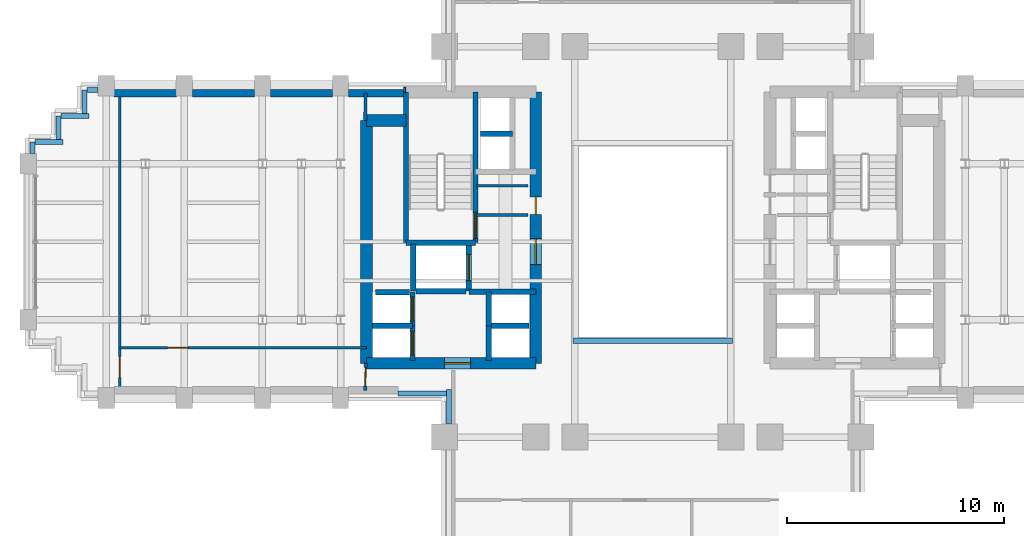
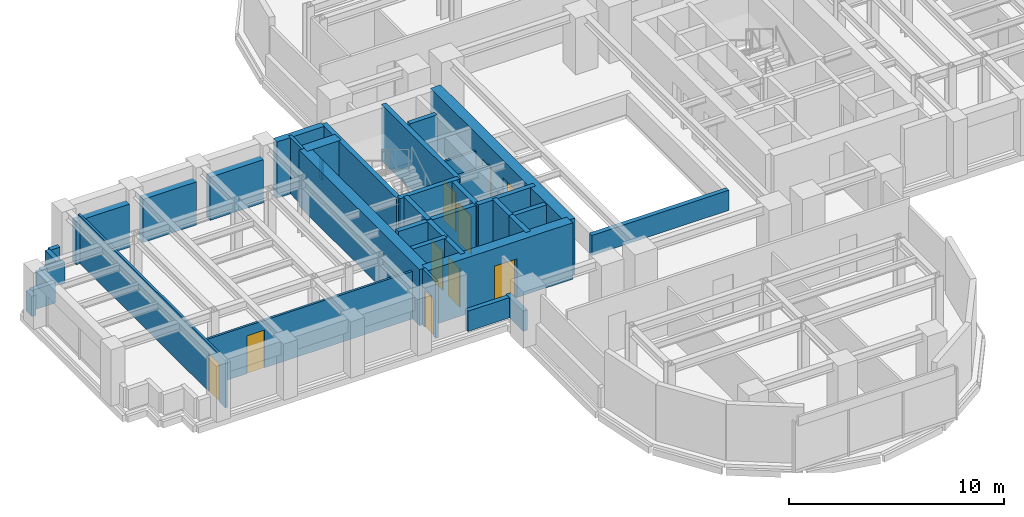
# One storey, part 10 of 16: 39 walls, 10 doors, 10 openings.
"""IFC4 building model written with IfcOpenShell, lengths in metres."""

from ifc_helpers import new_model, si_unit, direction, frame, frame_2d, origin, place, context, subcontext, project, spatial, rectangle, extrude, source, transform, mapped, material, layer, layer_set, type_object, element, fill, save


model = new_model("IFC4")

# Units and contexts
model_context = context("Model", 3, precision=1e-05, world=origin(), true_north=direction((0.0, 1.0)))
body_context = subcontext(model_context, "Body", "Model", "MODEL_VIEW")
ifc_project = project(units=[si_unit("LENGTHUNIT", "METRE"), si_unit("AREAUNIT", "SQUARE_METRE"), si_unit("VOLUMEUNIT", "CUBIC_METRE"), si_unit("PLANEANGLEUNIT", "RADIAN"), si_unit("MASSUNIT", "GRAM", prefix="KILO")], contexts=[model_context])

# Site, building, storey
site_placement = place(None, origin())
site = spatial("IfcSite", under=ifc_project, at=site_placement, CompositionType="ELEMENT")
building_placement = place(site_placement, origin())
building = spatial("IfcBuilding", under=site, at=building_placement, Name="Keilestroom Media Tower", CompositionType="ELEMENT")
storey_placement = place(building_placement, frame((0.0, 0.0, 54.39990234375)))
storey = spatial("IfcBuildingStorey", under=building, at=storey_placement, Name="L13", CompositionType="ELEMENT", Elevation=54.39990234375)

# Walls
ifc_material_1 = material(Name="Precast concrete C40/50", Category="concrete")
ifc_layer_1 = layer(ifc_material_1, 0.340087890625)
ifc_layer_set_1 = layer_set([ifc_layer_1], Name="Precast concrete C40/50")
wall_type_1 = type_object("IfcWallType", Name="Exterior-Masonry-Spandrel-Wall-340", PredefinedType="SOLIDWALL", material=ifc_layer_set_1)
for number, where, z_axis, x_axis, name in (
    (1, (-24.8330078125, 6.85009765625, 0.0), (0.0, 0.0, 1.0), (1.0, 0.0, 0.0), "L13 Flank Masonry Wall EWL-L13-NW-1"),
    (2, (-21.23291015625, 6.85009765625, 0.0), (0.0, 0.0, 1.0), (1.0, 0.0, 0.0), "L13 Flank Masonry Wall EWL-L13-NW-2"),
    (3, (-17.633056640625, 6.85009765625, 0.0), (0.0, 0.0, 1.0), (1.0, 0.0, 0.0), "L13 Flank Masonry Wall EWL-L13-NW-3"),
):
    element("IfcWall", number, at=place(storey_placement, frame(where, z_axis=z_axis, x_axis=x_axis)), inside=storey, type_object=wall_type_1, Name=name, PredefinedType="SOLIDWALL", context=body_context, shape_type="SweptSolid", body=[
        extrude(rectangle(XDim=2.865966796875, YDim=0.340087890625, at=frame_2d((1.43310546875, 0.0))), origin(), (0.0, 0.0, 1.0), 2.4501953125),
    ])
wall_1_placement = place(storey_placement, frame((-14.032958984375, 6.85009765625, 0.0), z_axis=(0.0, 0.0, 1.0), x_axis=(1.0, 0.0, 0.0)))
element("IfcWall", 4, at=wall_1_placement, inside=storey, type_object=wall_type_1, Name="L13 Flank Masonry Wall EWL-L13-NW-4", PredefinedType="SOLIDWALL", context=body_context, shape_type="SweptSolid", body=[
    extrude(rectangle(XDim=2.534912109375, YDim=0.340087890625, at=frame_2d((1.267578125, 0.0))), origin(), (0.0, 0.0, 1.0), 3.2001953125),
])
ifc_material_2 = material(Name="Gypsum Plasterboard & Steel Stud", Category="steel")
ifc_layer_2 = layer(ifc_material_2, 0.1201171875)
ifc_layer_set_2 = layer_set([ifc_layer_2], Name="Gypsum Plasterboard & Steel Stud")
wall_type_2 = type_object("IfcWallType", Name="Interior-Partition-Wall-120", PredefinedType="PARTITIONING", material=ifc_layer_set_2)
wall_2_placement = place(storey_placement, frame((-8.139892578125, 2.580078125, 0.0), z_axis=(0.0, 0.0, 1.0), x_axis=(1.0, 0.0, 0.0)))
element("IfcWall", 5, at=wall_2_placement, inside=storey, type_object=wall_type_2, Name="L13 Interior Wall WP-L13-CNW-N", PredefinedType="PARTITIONING", context=body_context, shape_type="SweptSolid", body=[
    extrude(rectangle(XDim=2.389892578125, YDim=0.1201171875, at=frame_2d((1.19482421875, 0.0))), origin(), (0.0, 0.0, 1.0), 2.300048828125),
])

# Wall, opening, door
wall_3_placement = place(storey_placement, frame((-24.570068359375, -4.8798828125, 0.0), z_axis=(0.0, 0.0, 1.0), x_axis=(1.0, 0.0, 0.0)))
wall_3 = element("IfcWall", 6, at=wall_3_placement, inside=storey, type_object=wall_type_2, Name="L13 Interior Wall WP-L13-WA-CN", PredefinedType="PARTITIONING", context=body_context, shape_type="SweptSolid", body=[
    extrude(rectangle(XDim=11.3701171875, YDim=0.1201171875, at=frame_2d((5.68505859375, 0.0))), origin(), (0.0, 0.0, 1.0), 2.7001953125),
])
opening_1_placement = place(wall_3_placement, frame((2.199951171875, 0.0, 0.0)))
opening_1 = element("IfcOpeningElement", 7, at=opening_1_placement, cuts=wall_3, Name="Opening DI-03", PredefinedType="OPENING", context=body_context, shape_type="SweptSolid", body=[
    extrude(rectangle(XDim=0.949951171875, YDim=2.14990234375, at=frame_2d((0.47509765625, 1.074951171875))), frame((0.0, 0.070068359375, 0.0), z_axis=(0.0, -1.0, 0.0), x_axis=(1.0, 0.0, 0.0)), (0.0, 0.0, 1.0), 0.14013671875),
])
ifc_material_3 = material(Name="Lacquered European Oak Leaf", Category="wood")
door_type_1 = type_object("IfcDoorType", Name="Interior-Room-And-Suite-Door-DI-03", OperationType="NOTDEFINED", PredefinedType="DOOR", material=ifc_material_3)
shared_shape_1 = source(origin(), body_context, "Body", "SweptSolid", [
    extrude(rectangle(XDim=0.949951171875, YDim=2.14990234375, at=frame_2d((0.47509765625, 1.074951171875))), frame((0.0, 0.02490234375, 0.0), z_axis=(0.0, -1.0, 0.0), x_axis=(1.0, 0.0, 0.0)), (0.0, 0.0, 1.0), 0.050048828125),
])
door_1_placement = place(opening_1_placement, origin())
door_1 = element("IfcDoor", 8, at=door_1_placement, inside=storey, type_object=door_type_1, Name="L13 Interior Door DI-L13-DWA-RN", OperationType="SINGLE_SWING_RIGHT", OverallHeight=2.14990234375, OverallWidth=0.949951171875, PredefinedType="DOOR", context=body_context, shape_type="MappedRepresentation", body=[
    mapped(shared_shape_1, transform((0.0, 0.0, 0.0), x_axis=(1.0, 0.0, 0.0), y_axis=(0.0, 1.0, 0.0), z_axis=(0.0, 0.0, 1.0), scale=1.0)),
])
fill(opening_1, door_1)

wall_4_placement = place(storey_placement, frame((-24.570068359375, -6.85009765625, 0.0), z_axis=(0.0, 0.0, 1.0), x_axis=(0.0, 1.0, 0.0)))
wall_4 = element("IfcWall", 9, at=wall_4_placement, inside=storey, type_object=wall_type_2, Name="L13 Interior Wall WP-L13-WA-CE", PredefinedType="PARTITIONING", context=body_context, shape_type="SweptSolid", body=[
    extrude(rectangle(XDim=13.7001953125, YDim=0.1201171875, at=frame_2d((6.85009765625, 0.0))), origin(), (0.0, 0.0, 1.0), 2.710205078125),
])
opening_2_placement = place(wall_4_placement, frame((0.60009765625, 0.0, 0.0)))
opening_2 = element("IfcOpeningElement", 10, at=opening_2_placement, cuts=wall_4, Name="Opening DI-03", PredefinedType="OPENING", context=body_context, shape_type="SweptSolid", body=[
    extrude(rectangle(XDim=0.949951171875, YDim=2.14990234375, at=frame_2d((0.47509765625, 1.074951171875))), frame((0.0, 0.070068359375, 0.0), z_axis=(0.0, -1.0, 0.0), x_axis=(1.0, 0.0, 0.0)), (0.0, 0.0, 1.0), 0.14013671875),
])
door_2_placement = place(opening_2_placement, origin())
door_2 = element("IfcDoor", 11, at=door_2_placement, inside=storey, type_object=door_type_1, Name="L13 Interior Door DI-L13-DWA-END", OperationType="SINGLE_SWING_LEFT", OverallHeight=2.14990234375, OverallWidth=0.949951171875, PredefinedType="DOOR", context=body_context, shape_type="MappedRepresentation", body=[
    mapped(shared_shape_1, transform((0.0, 0.0, 0.0), x_axis=(1.0, 0.0, 0.0), y_axis=(0.0, 1.0, 0.0), z_axis=(0.0, 0.0, 1.0), scale=1.0)),
])
fill(opening_2, door_2)

# Walls
ifc_layer_3 = layer(ifc_material_2, 0.14990234375)
ifc_layer_set_3 = layer_set([ifc_layer_3], Name="Gypsum Plasterboard & Steel Stud")
wall_type_3 = type_object("IfcWallType", Name="Interior-Partition-Wall-150", PredefinedType="PARTITIONING", material=ifc_layer_set_3)
wall_5_placement = place(storey_placement, frame((-8.139892578125, 1.239990234375, 0.0), z_axis=(0.0, 0.0, 1.0), x_axis=(1.0, 0.0, 0.0)))
element("IfcWall", 12, at=wall_5_placement, inside=storey, type_object=wall_type_3, Name="L13 Interior Wall WP-L13-FFW-TOP", PredefinedType="PARTITIONING", context=body_context, shape_type="SweptSolid", body=[
    extrude(rectangle(XDim=2.389892578125, YDim=0.14990234375, at=frame_2d((1.19482421875, 0.0))), origin(), (0.0, 0.0, 1.0), 2.300048828125),
])
wall_6_placement = place(storey_placement, frame((-13.260009765625, 5.60009765625, 0.0), z_axis=(0.0, 0.0, 1.0), x_axis=(0.016013571389, 0.999871774545, 0.0)))
element("IfcWall", 13, at=wall_6_placement, inside=storey, type_object=wall_type_3, Name="L13 Interior Wall WP-L13-WA-ENTN", PredefinedType="PARTITIONING", context=body_context, shape_type="SweptSolid", body=[
    extrude(rectangle(XDim=1.250244140625, YDim=0.14990234375, at=frame_2d((0.625, 0.0))), origin(), (0.0, 0.0, 1.0), 3.2001953125),
])

# Wall, opening, door
wall_7_placement = place(storey_placement, frame((-13.260009765625, -6.85009765625, 0.0), z_axis=(0.0, 0.0, 1.0), x_axis=(0.016013571389, 0.999871774545, 0.0)))
wall_7 = element("IfcWall", 14, at=wall_7_placement, inside=storey, type_object=wall_type_3, Name="L13 Interior Wall WP-L13-WA-ENTS", PredefinedType="PARTITIONING", context=body_context, shape_type="SweptSolid", body=[
    extrude(rectangle(XDim=1.250244140625, YDim=0.14990234375, at=frame_2d((0.625, 0.0))), origin(), (0.0, 0.0, 1.0), 3.2001953125),
])
opening_3_placement = place(wall_7_placement, frame((0.199951171875, 0.0, 0.0)))
opening_3 = element("IfcOpeningElement", 15, at=opening_3_placement, cuts=wall_7, Name="Opening DI-05", PredefinedType="OPENING", context=body_context, shape_type="SweptSolid", body=[
    extrude(rectangle(XDim=0.85009765625, YDim=2.10009765625, at=frame_2d((0.425048828125, 1.050048828125))), frame((0.0, 0.0849609375, 0.0), z_axis=(0.0, -1.0, 0.0), x_axis=(1.0, 0.0, 0.0)), (0.0, 0.0, 1.0), 0.169921875),
])
ifc_material_4 = material(Name="Moisture-Resistant Oak Leaf", Category="wood")
door_type_2 = type_object("IfcDoorType", Name="Interior-En-Suite-And-Cupboard-Door-DI-05", OperationType="NOTDEFINED", PredefinedType="DOOR", material=ifc_material_4)
shared_shape_2 = source(origin(), body_context, "Body", "SweptSolid", [
    extrude(rectangle(XDim=0.85009765625, YDim=2.10009765625, at=frame_2d((0.425048828125, 1.050048828125))), frame((0.0, 0.02490234375, 0.0), z_axis=(0.0, -1.0, 0.0), x_axis=(1.0, 0.0, 0.0)), (0.0, 0.0, 1.0), 0.050048828125),
])
door_3_placement = place(opening_3_placement, origin())
door_3 = element("IfcDoor", 16, at=door_3_placement, inside=storey, type_object=door_type_2, Name="L13 Interior Door DI-L13-DWA-ENTS", OperationType="SINGLE_SWING_RIGHT", OverallHeight=2.10009765625, OverallWidth=0.85009765625, PredefinedType="DOOR", context=body_context, shape_type="MappedRepresentation", body=[
    mapped(shared_shape_2, transform((0.0, 0.0, 0.0), x_axis=(1.0, 0.0, 0.0), y_axis=(0.0, 1.0, 0.0), z_axis=(0.0, 0.0, 1.0), scale=1.0)),
])
fill(opening_3, door_3)

# Wall
ifc_material_5 = material(Name="Concrete C70/85", Category="concrete")
ifc_layer_4 = layer(ifc_material_5, 0.550048828125)
ifc_layer_set_4 = layer_set([ifc_layer_4], Name="Concrete C70/85")
wall_type_4 = type_object("IfcWallType", Name="Reinforced-Concrete-Core-Shear-Wall-550", PredefinedType="SHEAR", material=ifc_layer_set_4)
wall_8_placement = place(storey_placement, frame((-13.199951171875, -5.60009765625, 0.0), z_axis=(0.0, 0.0, 1.0), x_axis=(0.0, 1.0, 0.0)))
element("IfcWall", 17, at=wall_8_placement, inside=storey, type_object=wall_type_4, Name="L13 Core Shear Wall WL-L13-CORE-W-OUT", PredefinedType="SHEAR", context=body_context, shape_type="SweptSolid", body=[
    extrude(rectangle(XDim=11.2001953125, YDim=0.550048828125, at=frame_2d((5.60009765625, 0.0))), origin(), (0.0, 0.0, 1.0), 3.2001953125),
])

# Wall, openings, doors
wall_9_placement = place(storey_placement, frame((-5.39990234375, -5.60009765625, 0.0), z_axis=(0.0, 0.0, 1.0), x_axis=(0.0, 1.0, 0.0)))
wall_9 = element("IfcWall", 18, at=wall_9_placement, inside=storey, type_object=wall_type_4, Name="L13 Core Shear Wall WL-L13-CORE-W-IN", PredefinedType="SHEAR", context=body_context, shape_type="SweptSolid", body=[
    extrude(rectangle(XDim=12.5, YDim=0.550048828125, at=frame_2d((6.25, 0.0))), origin(), (0.0, 0.0, 1.0), 3.2001953125),
])
opening_4_placement = place(wall_9_placement, frame((4.550048828125, 0.0, 0.0)))
opening_4 = element("IfcOpeningElement", 19, at=opening_4_placement, cuts=wall_9, Name="Opening DI-02", PredefinedType="OPENING", context=body_context, shape_type="SweptSolid", body=[
    extrude(rectangle(XDim=1.199951171875, YDim=2.199951171875, at=frame_2d((0.60009765625, 1.10009765625))), frame((0.0, 0.28515625, 0.0), z_axis=(0.0, -1.0, 0.0), x_axis=(1.0, 0.0, 0.0)), (0.0, 0.0, 1.0), 0.570068359375),
])
opening_5_placement = place(wall_9_placement, frame((6.860107421875, 0.0, 0.0)))
opening_5 = element("IfcOpeningElement", 20, at=opening_5_placement, cuts=wall_9, Name="Opening DI-06", PredefinedType="OPENING", context=body_context, shape_type="SweptSolid", body=[
    extrude(rectangle(XDim=0.800048828125, YDim=2.10009765625, at=frame_2d((0.39990234375, 1.050048828125))), frame((0.0, 0.28515625, 0.0), z_axis=(0.0, -1.0, 0.0), x_axis=(1.0, 0.0, 0.0)), (0.0, 0.0, 1.0), 0.570068359375),
])
ifc_material_6 = material(Name="Powder-Coated Steel Fire Leaf", Category="steel")
door_type_3 = type_object("IfcDoorType", Name="Interior-Compartment-Fire-Door-DI-02", OperationType="NOTDEFINED", PredefinedType="DOOR", material=ifc_material_6)
shared_shape_3 = source(origin(), body_context, "Body", "SweptSolid", [
    extrude(rectangle(XDim=1.199951171875, YDim=2.199951171875, at=frame_2d((0.60009765625, 1.10009765625))), frame((0.0, 0.02490234375, 0.0), z_axis=(0.0, -1.0, 0.0), x_axis=(1.0, 0.0, 0.0)), (0.0, 0.0, 1.0), 0.050048828125),
])
door_4_placement = place(opening_4_placement, origin())
door_4 = element("IfcDoor", 21, at=door_4_placement, inside=storey, type_object=door_type_3, Name="L13 W Firefighting Lobby Door", OperationType="SINGLE_SWING_RIGHT", OverallHeight=2.199951171875, OverallWidth=1.199951171875, PredefinedType="DOOR", context=body_context, shape_type="MappedRepresentation", body=[
    mapped(shared_shape_3, transform((0.0, 0.0, 0.0), x_axis=(1.0, 0.0, 0.0), y_axis=(0.0, 1.0, 0.0), z_axis=(0.0, 0.0, 1.0), scale=1.0)),
])
fill(opening_4, door_4)
ifc_material_7 = material(Name="Powder-Coated Steel Service Leaf", Category="steel")
door_type_4 = type_object("IfcDoorType", Name="Interior-Riser-Access-Door-DI-06", OperationType="NOTDEFINED", PredefinedType="DOOR", material=ifc_material_7)
shared_shape_4 = source(origin(), body_context, "Body", "SweptSolid", [
    extrude(rectangle(XDim=0.800048828125, YDim=2.10009765625, at=frame_2d((0.39990234375, 1.050048828125))), frame((0.0, 0.02490234375, 0.0), z_axis=(0.0, -1.0, 0.0), x_axis=(1.0, 0.0, 0.0)), (0.0, 0.0, 1.0), 0.050048828125),
])
door_5_placement = place(opening_5_placement, origin())
door_5 = element("IfcDoor", 22, at=door_5_placement, inside=storey, type_object=door_type_4, Name="L13 West Core Switchroom Door", OperationType="SINGLE_SWING_LEFT", OverallHeight=2.10009765625, OverallWidth=0.800048828125, PredefinedType="DOOR", context=body_context, shape_type="MappedRepresentation", body=[
    mapped(shared_shape_4, transform((0.0, 0.0, 0.0), x_axis=(1.0, 0.0, 0.0), y_axis=(0.0, 1.0, 0.0), z_axis=(0.0, 0.0, 1.0), scale=1.0)),
])
fill(opening_5, door_5)

# Wall
wall_10_placement = place(storey_placement, frame((-13.199951171875, 5.60009765625, 0.0), z_axis=(0.0, 0.0, 1.0), x_axis=(1.0, 0.0, 0.0)))
element("IfcWall", 23, at=wall_10_placement, inside=storey, type_object=wall_type_4, Name="L13 Core Shear Wall WL-L13-CNW-N", PredefinedType="SHEAR", context=body_context, shape_type="SweptSolid", body=[
    extrude(rectangle(XDim=1.81884765625, YDim=0.550048828125, at=frame_2d((0.909423828125, 0.0))), origin(), (0.0, 0.0, 1.0), 3.2001953125),
])

# Wall, opening, door
wall_11_placement = place(storey_placement, frame((-13.199951171875, -5.60009765625, 0.0), z_axis=(0.0, 0.0, 1.0), x_axis=(1.0, 0.0, 0.0)))
wall_11 = element("IfcWall", 24, at=wall_11_placement, inside=storey, type_object=wall_type_4, Name="L13 Core Shear Wall WL-L13-CORE-W-S", PredefinedType="SHEAR", context=body_context, shape_type="SweptSolid", body=[
    extrude(rectangle(XDim=7.800048828125, YDim=0.550048828125, at=frame_2d((3.89990234375, 0.0))), origin(), (0.0, 0.0, 1.0), 3.2001953125),
])
opening_6_placement = place(wall_11_placement, frame((3.60009765625, 0.0, 0.0)))
opening_6 = element("IfcOpeningElement", 25, at=opening_6_placement, cuts=wall_11, Name="Opening DI-02", PredefinedType="OPENING", context=body_context, shape_type="SweptSolid", body=[
    extrude(rectangle(XDim=1.199951171875, YDim=2.199951171875, at=frame_2d((0.60009765625, 1.10009765625))), frame((0.0, 0.28515625, 0.0), z_axis=(0.0, -1.0, 0.0), x_axis=(1.0, 0.0, 0.0)), (0.0, 0.0, 1.0), 0.570068359375),
])
door_6_placement = place(opening_6_placement, origin())
door_6 = element("IfcDoor", 26, at=door_6_placement, inside=storey, type_object=door_type_3, Name="L13 W Passenger Lift Lobby Door", OperationType="SINGLE_SWING_LEFT", OverallHeight=2.199951171875, OverallWidth=1.199951171875, PredefinedType="DOOR", context=body_context, shape_type="MappedRepresentation", body=[
    mapped(shared_shape_3, transform((0.0, 0.0, 0.0), x_axis=(1.0, 0.0, 0.0), y_axis=(0.0, 1.0, 0.0), z_axis=(0.0, 0.0, 1.0), scale=1.0)),
])
fill(opening_6, door_6)

# Wall
ifc_material_8 = material(Name="Concrete C50/60", Category="concrete")
ifc_layer_5 = layer(ifc_material_8, 0.25)
ifc_layer_set_5 = layer_set([ifc_layer_5], Name="Concrete C50/60")
wall_type_5 = type_object("IfcWallType", Name="Reinforced-Concrete-Shaft-Wall-250", PredefinedType="SOLIDWALL", material=ifc_layer_set_5)
wall_12_placement = place(storey_placement, frame((-8.47998046875, -2.300048828125, 0.0), z_axis=(0.0, 0.0, 1.0), x_axis=(1.0, 0.0, 0.0)))
element("IfcWall", 27, at=wall_12_placement, inside=storey, type_object=wall_type_5, Name="L13 Core Shear Wall WL-L13-CORE-W-FFS", PredefinedType="SOLIDWALL", context=body_context, shape_type="SweptSolid", body=[
    extrude(rectangle(XDim=3.080078125, YDim=0.25, at=frame_2d((1.5400390625, 0.0))), origin(), (0.0, 0.0, 1.0), 3.2001953125),
])

# Wall, opening, door
wall_13_placement = place(storey_placement, frame((-8.178955078125, -0.041015625, 0.0), z_axis=(0.0, 0.0, 1.0), x_axis=(0.0, 1.0, 0.0)))
wall_13 = element("IfcWall", 28, at=wall_13_placement, inside=storey, type_object=wall_type_5, Name="L13 Core Shear Wall WL-L13-STW-W-NEAR", PredefinedType="SOLIDWALL", context=body_context, shape_type="SweptSolid", body=[
    extrude(rectangle(XDim=6.94091796875, YDim=0.25, at=frame_2d((3.470458984375, 0.0))), origin(), (0.0, 0.0, 1.0), 3.2001953125),
])
opening_7_placement = place(wall_13_placement, frame((0.199951171875, 0.0, 0.0)))
opening_7 = element("IfcOpeningElement", 29, at=opening_7_placement, cuts=wall_13, Name="Opening DI-01S", PredefinedType="OPENING", context=body_context, shape_type="SweptSolid", body=[
    extrude(rectangle(XDim=1.199951171875, YDim=2.199951171875, at=frame_2d((0.60009765625, 1.10009765625))), frame((0.0, 0.135009765625, 0.0), z_axis=(0.0, -1.0, 0.0), x_axis=(1.0, 0.0, 0.0)), (0.0, 0.0, 1.0), 0.27001953125),
])
door_type_5 = type_object("IfcDoorType", Name="Interior-Stair-And-Core-Fire-Door-DI-01", OperationType="NOTDEFINED", PredefinedType="DOOR", material=ifc_material_6)
door_7_placement = place(opening_7_placement, origin())
door_7 = element("IfcDoor", 30, at=door_7_placement, inside=storey, type_object=door_type_5, Name="L13 Escape Stair ST-1 Fire Door", OperationType="SINGLE_SWING_LEFT", OverallHeight=2.199951171875, OverallWidth=1.199951171875, PredefinedType="DOOR", context=body_context, shape_type="MappedRepresentation", body=[
    mapped(shared_shape_3, transform((0.0, 0.0, 0.0), x_axis=(1.0, 0.0, 0.0), y_axis=(0.0, 1.0, 0.0), z_axis=(0.0, 0.0, 1.0), scale=1.0)),
])
fill(opening_7, door_7)

# Walls
wall_14_placement = place(storey_placement, frame((-11.381103515625, -0.041015625, 0.0), z_axis=(0.0, 0.0, 1.0), x_axis=(0.0, 1.0, 0.0)))
element("IfcWall", 31, at=wall_14_placement, inside=storey, type_object=wall_type_5, Name="L13 Core Shear Wall WL-L13-STW-W-FAR", PredefinedType="SOLIDWALL", context=body_context, shape_type="SweptSolid", body=[
    extrude(rectangle(XDim=6.94091796875, YDim=0.25, at=frame_2d((3.470458984375, 0.0))), origin(), (0.0, 0.0, 1.0), 3.2001953125),
])
wall_15_placement = place(storey_placement, frame((-11.381103515625, -0.041015625, 0.0), z_axis=(0.0, 0.0, 1.0), x_axis=(1.0, 0.0, 0.0)))
element("IfcWall", 32, at=wall_15_placement, inside=storey, type_object=wall_type_5, Name="L13 Core Shear Wall WL-L13-STW-W-S", PredefinedType="SOLIDWALL", context=body_context, shape_type="SweptSolid", body=[
    extrude(rectangle(XDim=3.2021484375, YDim=0.25, at=frame_2d((1.60107421875, 0.0))), origin(), (0.0, 0.0, 1.0), 3.2001953125),
])
wall_16_placement = place(storey_placement, frame((-11.050048828125, -2.280029296875, 0.0), z_axis=(0.0, 0.0, 1.0), x_axis=(0.0, 1.0, 0.0)))
element("IfcWall", 33, at=wall_16_placement, inside=storey, type_object=wall_type_5, Name="L13 Core Shear Wall WL-L13-LSH-FFL-1-W", PredefinedType="SOLIDWALL", context=body_context, shape_type="SweptSolid", body=[
    extrude(rectangle(XDim=2.179931640625, YDim=0.25, at=frame_2d((1.08984375, 0.0))), origin(), (0.0, 0.0, 1.0), 3.2001953125),
])

# Wall, opening, door
wall_17_placement = place(storey_placement, frame((-8.47998046875, -2.280029296875, 0.0), z_axis=(0.0, 0.0, 1.0), x_axis=(0.0, 1.0, 0.0)))
wall_17 = element("IfcWall", 34, at=wall_17_placement, inside=storey, type_object=wall_type_5, Name="L13 Core Shear Wall WL-L13-LSH-FFL-1-E", PredefinedType="SOLIDWALL", context=body_context, shape_type="SweptSolid", body=[
    extrude(rectangle(XDim=2.179931640625, YDim=0.25, at=frame_2d((1.08984375, 0.0))), origin(), (0.0, 0.0, 1.0), 3.2001953125),
])
opening_8_placement = place(wall_17_placement, frame((0.489990234375, 0.0, 0.0)))
opening_8 = element("IfcOpeningElement", 35, at=opening_8_placement, cuts=wall_17, Name="Opening LD-02", PredefinedType="OPENING", context=body_context, shape_type="SweptSolid", body=[
    extrude(rectangle(XDim=1.199951171875, YDim=2.199951171875, at=frame_2d((0.60009765625, 1.10009765625))), frame((0.0, 0.135009765625, 0.0), z_axis=(0.0, -1.0, 0.0), x_axis=(1.0, 0.0, 0.0)), (0.0, 0.0, 1.0), 0.27001953125),
])
ifc_material_9 = material(Name="Brushed Stainless Steel Sliding Leaf", Category="steel")
door_type_6 = type_object("IfcDoorType", Name="Lift-Landing-Sliding-Door-LD-02", OperationType="SLIDING_TO_RIGHT", PredefinedType="DOOR", material=ifc_material_9)
door_8_placement = place(opening_8_placement, origin())
door_8 = element("IfcDoor", 36, at=door_8_placement, inside=storey, type_object=door_type_6, Name="L13 Lift FFL-1 Landing Sliding Door", OperationType="SLIDING_TO_RIGHT", OverallHeight=2.199951171875, OverallWidth=1.199951171875, PredefinedType="DOOR", context=body_context, shape_type="MappedRepresentation", body=[
    mapped(shared_shape_3, transform((0.0, 0.0, 0.0), x_axis=(1.0, 0.0, 0.0), y_axis=(0.0, 1.0, 0.0), z_axis=(0.0, 0.0, 1.0), scale=1.0)),
])
fill(opening_8, door_8)

# Wall
wall_18_placement = place(storey_placement, frame((-10.9208984375, -2.280029296875, 0.0), z_axis=(0.0, 0.0, 1.0), x_axis=(1.0, 0.0, 0.0)))
element("IfcWall", 37, at=wall_18_placement, inside=storey, type_object=wall_type_5, Name="L13 Core Shear Wall WL-L13-LSH-FFL-1-S", PredefinedType="SOLIDWALL", context=body_context, shape_type="SweptSolid", body=[
    extrude(rectangle(XDim=2.31201171875, YDim=0.25, at=frame_2d((1.156005859375, 0.0))), origin(), (0.0, 0.0, 1.0), 3.2001953125),
])

# Wall, opening, door
wall_19_placement = place(storey_placement, frame((-11.080078125, -5.47998046875, 0.0), z_axis=(0.0, 0.0, 1.0), x_axis=(0.0, 1.0, 0.0)))
wall_19 = element("IfcWall", 38, at=wall_19_placement, inside=storey, type_object=wall_type_5, Name="L13 Core Shear Wall WL-L13-LSH-PL-L1-E", PredefinedType="SOLIDWALL", context=body_context, shape_type="SweptSolid", body=[
    extrude(rectangle(XDim=1.60009765625, YDim=0.25, at=frame_2d((0.800048828125, 0.0))), origin(), (0.0, 0.0, 1.0), 3.2001953125),
])
opening_9_placement = place(wall_19_placement, frame((0.25, 0.0, 0.0)))
opening_9 = element("IfcOpeningElement", 39, at=opening_9_placement, cuts=wall_19, Name="Opening LD-01", PredefinedType="OPENING", context=body_context, shape_type="SweptSolid", body=[
    extrude(rectangle(XDim=1.10009765625, YDim=2.199951171875, at=frame_2d((0.550048828125, 1.10009765625))), frame((0.0, 0.135009765625, 0.0), z_axis=(0.0, -1.0, 0.0), x_axis=(1.0, 0.0, 0.0)), (0.0, 0.0, 1.0), 0.27001953125),
])
door_type_7 = type_object("IfcDoorType", Name="Lift-Landing-Sliding-Door-LD-01", OperationType="SLIDING_TO_LEFT", PredefinedType="DOOR", material=ifc_material_9)
shared_shape_5 = source(origin(), body_context, "Body", "SweptSolid", [
    extrude(rectangle(XDim=1.10009765625, YDim=2.199951171875, at=frame_2d((0.550048828125, 1.10009765625))), frame((0.0, 0.02490234375, 0.0), z_axis=(0.0, -1.0, 0.0), x_axis=(1.0, 0.0, 0.0)), (0.0, 0.0, 1.0), 0.050048828125),
])
door_9_placement = place(opening_9_placement, origin())
door_9 = element("IfcDoor", 40, at=door_9_placement, inside=storey, type_object=door_type_7, Name="L13 Lift PL-L1 Landing Sliding Door", OperationType="SLIDING_TO_LEFT", OverallHeight=2.199951171875, OverallWidth=1.10009765625, PredefinedType="DOOR", context=body_context, shape_type="MappedRepresentation", body=[
    mapped(shared_shape_5, transform((0.0, 0.0, 0.0), x_axis=(1.0, 0.0, 0.0), y_axis=(0.0, 1.0, 0.0), z_axis=(0.0, 0.0, 1.0), scale=1.0)),
])
fill(opening_9, door_9)

# Wall
wall_20_placement = place(storey_placement, frame((-12.919921875, -3.8798828125, 0.0), z_axis=(0.0, 0.0, 1.0), x_axis=(1.0, 0.0, 0.0)))
element("IfcWall", 41, at=wall_20_placement, inside=storey, type_object=wall_type_5, Name="L13 Core Shear Wall WL-L13-LSH-PL-L1-N", PredefinedType="SOLIDWALL", context=body_context, shape_type="SweptSolid", body=[
    extrude(rectangle(XDim=1.83984375, YDim=0.25, at=frame_2d((0.919921875, 0.0))), origin(), (0.0, 0.0, 1.0), 3.2001953125),
])

# Wall, opening, door
wall_21_placement = place(storey_placement, frame((-11.080078125, -3.8798828125, 0.0), z_axis=(0.0, 0.0, 1.0), x_axis=(0.0, 1.0, 0.0)))
wall_21 = element("IfcWall", 42, at=wall_21_placement, inside=storey, type_object=wall_type_5, Name="L13 Core Shear Wall WL-L13-LSH-PL-L2-E", PredefinedType="SOLIDWALL", context=body_context, shape_type="SweptSolid", body=[
    extrude(rectangle(XDim=1.559814453125, YDim=0.25, at=frame_2d((0.77978515625, 0.0))), origin(), (0.0, 0.0, 1.0), 3.2001953125),
])
opening_10_placement = place(wall_21_placement, frame((0.22998046875, 0.0, 0.0)))
opening_10 = element("IfcOpeningElement", 43, at=opening_10_placement, cuts=wall_21, Name="Opening LD-01", PredefinedType="OPENING", context=body_context, shape_type="SweptSolid", body=[
    extrude(rectangle(XDim=1.10009765625, YDim=2.199951171875, at=frame_2d((0.550048828125, 1.10009765625))), frame((0.0, 0.135009765625, 0.0), z_axis=(0.0, -1.0, 0.0), x_axis=(1.0, 0.0, 0.0)), (0.0, 0.0, 1.0), 0.27001953125),
])
door_10_placement = place(opening_10_placement, origin())
door_10 = element("IfcDoor", 44, at=door_10_placement, inside=storey, type_object=door_type_7, Name="L13 Lift PL-L2 Landing Sliding Door", OperationType="SLIDING_TO_LEFT", OverallHeight=2.199951171875, OverallWidth=1.10009765625, PredefinedType="DOOR", context=body_context, shape_type="MappedRepresentation", body=[
    mapped(shared_shape_5, transform((0.0, 0.0, 0.0), x_axis=(1.0, 0.0, 0.0), y_axis=(0.0, 1.0, 0.0), z_axis=(0.0, 0.0, 1.0), scale=1.0)),
])
fill(opening_10, door_10)

# Walls
wall_22_placement = place(storey_placement, frame((-12.791015625, -2.320068359375, 0.0), z_axis=(0.0, 0.0, 1.0), x_axis=(1.0, 0.0, 0.0)))
element("IfcWall", 45, at=wall_22_placement, inside=storey, type_object=wall_type_5, Name="L13 Core Shear Wall WL-L13-LSH-PL-L2-N", PredefinedType="SOLIDWALL", context=body_context, shape_type="SweptSolid", body=[
    extrude(rectangle(XDim=1.58203125, YDim=0.25, at=frame_2d((0.791015625, 0.0))), origin(), (0.0, 0.0, 1.0), 3.2001953125),
])
wall_23_placement = place(storey_placement, frame((-7.56005859375, -5.47998046875, 0.0), z_axis=(0.0, 0.0, 1.0), x_axis=(0.0, 1.0, 0.0)))
element("IfcWall", 46, at=wall_23_placement, inside=storey, type_object=wall_type_5, Name="L13 Core Shear Wall WL-L13-LSH-PL-M1-W", PredefinedType="SOLIDWALL", context=body_context, shape_type="SweptSolid", body=[
    extrude(rectangle(XDim=1.60009765625, YDim=0.25, at=frame_2d((0.800048828125, 0.0))), origin(), (0.0, 0.0, 1.0), 3.2001953125),
])
wall_24_placement = place(storey_placement, frame((-7.56005859375, -3.8798828125, 0.0), z_axis=(0.0, 0.0, 1.0), x_axis=(1.0, 0.0, 0.0)))
element("IfcWall", 47, at=wall_24_placement, inside=storey, type_object=wall_type_5, Name="L13 Core Shear Wall WL-L13-LSH-PL-M1-N", PredefinedType="SOLIDWALL", context=body_context, shape_type="SweptSolid", body=[
    extrude(rectangle(XDim=1.840087890625, YDim=0.25, at=frame_2d((0.919921875, 0.0))), origin(), (0.0, 0.0, 1.0), 3.2001953125),
])
wall_25_placement = place(storey_placement, frame((-7.56005859375, -3.8798828125, 0.0), z_axis=(0.0, 0.0, 1.0), x_axis=(0.0, 1.0, 0.0)))
element("IfcWall", 48, at=wall_25_placement, inside=storey, type_object=wall_type_5, Name="L13 Core Shear Wall WL-L13-LSH-PL-M2-W", PredefinedType="SOLIDWALL", context=body_context, shape_type="SweptSolid", body=[
    extrude(rectangle(XDim=1.559814453125, YDim=0.25, at=frame_2d((0.77978515625, 0.0))), origin(), (0.0, 0.0, 1.0), 3.2001953125),
])
wall_26_placement = place(storey_placement, frame((-7.949951171875, 4.97998046875, 0.0), z_axis=(0.0, 0.0, 1.0), x_axis=(1.0, 0.0, 0.0)))
element("IfcWall", 49, at=wall_26_placement, inside=storey, type_object=wall_type_5, Name="L13 Core Shear Wall WL-L13-LSH-PL-H1-N", PredefinedType="SOLIDWALL", context=body_context, shape_type="SweptSolid", body=[
    extrude(rectangle(XDim=1.469970703125, YDim=0.25, at=frame_2d((0.73486328125, 0.0))), origin(), (0.0, 0.0, 1.0), 3.2001953125),
])
ifc_layer_6 = layer(ifc_material_1, 0.239990234375)
ifc_layer_set_6 = layer_set([ifc_layer_6], Name="Precast concrete C40/50")
wall_type_6 = type_object("IfcWallType", Name="Roof-And-Terrace-Parapet-Wall-240", PredefinedType="PARAPET", material=ifc_layer_set_6)
wall_27_placement = place(storey_placement, frame((-9.39990234375, -8.39697265625, 0.0), z_axis=(0.0, 0.0, 1.0), x_axis=(0.0, 1.0, 0.0)))
element("IfcWall", 50, at=wall_27_placement, inside=storey, type_object=wall_type_6, Name="L13 Perimeter Edge Parapet Wall 11", PredefinedType="PARAPET", context=body_context, shape_type="SweptSolid", body=[
    extrude(rectangle(XDim=1.596923828125, YDim=0.239990234375, at=frame_2d((0.79833984375, 0.0))), origin(), (0.0, 0.0, 1.0), 1.150146484375),
])
wall_28_placement = place(storey_placement, frame((-9.52294921875, -7.0, 0.0), z_axis=(0.0, 0.0, 1.0), x_axis=(-1.0, 0.0, 0.0)))
element("IfcWall", 51, at=wall_28_placement, inside=storey, type_object=wall_type_6, Name="L13 Perimeter Edge Parapet Wall 12", PredefinedType="PARAPET", context=body_context, shape_type="SweptSolid", body=[
    extrude(rectangle(XDim=2.22412109375, YDim=0.239990234375, at=frame_2d((1.112060546875, 0.0))), origin(), (0.0, 0.0, 1.0), 1.150146484375),
])
wall_29_placement = place(storey_placement, frame((-28.60009765625, 4.077880859375, 0.0), z_axis=(0.0, 0.0, 1.0), x_axis=(0.0, 1.0, 0.0)))
element("IfcWall", 52, at=wall_29_placement, inside=storey, type_object=wall_type_6, Name="L13 Perimeter Edge Parapet Wall 19", PredefinedType="PARAPET", context=body_context, shape_type="SweptSolid", body=[
    extrude(rectangle(XDim=0.522216796875, YDim=0.239990234375, at=frame_2d((0.26123046875, 0.0))), origin(), (0.0, 0.0, 1.0), 1.150146484375),
])
wall_30_placement = place(storey_placement, frame((-28.47705078125, 4.60009765625, 0.0), z_axis=(0.0, 0.0, 1.0), x_axis=(1.0, 0.0, 0.0)))
element("IfcWall", 53, at=wall_30_placement, inside=storey, type_object=wall_type_6, Name="L13 Perimeter Edge Parapet Wall 20", PredefinedType="PARAPET", context=body_context, shape_type="SweptSolid", body=[
    extrude(rectangle(XDim=1.277099609375, YDim=0.239990234375, at=frame_2d((0.638671875, 0.0))), origin(), (0.0, 0.0, 1.0), 1.150146484375),
])
wall_31_placement = place(storey_placement, frame((-27.39990234375, 4.722900390625, 0.0), z_axis=(0.0, 0.0, 1.0), x_axis=(0.0, 1.0, 0.0)))
element("IfcWall", 54, at=wall_31_placement, inside=storey, type_object=wall_type_6, Name="L13 Perimeter Edge Parapet Wall 21", PredefinedType="PARAPET", context=body_context, shape_type="SweptSolid", body=[
    extrude(rectangle(XDim=1.0771484375, YDim=0.239990234375, at=frame_2d((0.53857421875, 0.0))), origin(), (0.0, 0.0, 1.0), 1.150146484375),
])
wall_32_placement = place(storey_placement, frame((-27.277099609375, 5.800048828125, 0.0), z_axis=(0.0, 0.0, 1.0), x_axis=(1.0, 0.0, 0.0)))
element("IfcWall", 55, at=wall_32_placement, inside=storey, type_object=wall_type_6, Name="L13 Perimeter Edge Parapet Wall 22", PredefinedType="PARAPET", context=body_context, shape_type="SweptSolid", body=[
    extrude(rectangle(XDim=1.277099609375, YDim=0.239990234375, at=frame_2d((0.638671875, 0.0))), origin(), (0.0, 0.0, 1.0), 1.150146484375),
])
wall_33_placement = place(storey_placement, frame((-26.199951171875, 5.923095703125, 0.0), z_axis=(0.0, 0.0, 1.0), x_axis=(0.0, 1.0, 0.0)))
element("IfcWall", 56, at=wall_33_placement, inside=storey, type_object=wall_type_6, Name="L13 Perimeter Edge Parapet Wall 23", PredefinedType="PARAPET", context=body_context, shape_type="SweptSolid", body=[
    extrude(rectangle(XDim=1.076904296875, YDim=0.239990234375, at=frame_2d((0.53857421875, 0.0))), origin(), (0.0, 0.0, 1.0), 1.150146484375),
])
wall_34_placement = place(storey_placement, frame((-26.076904296875, 7.0, 0.0), z_axis=(0.0, 0.0, 1.0), x_axis=(1.0, 0.0, 0.0)))
element("IfcWall", 57, at=wall_34_placement, inside=storey, type_object=wall_type_6, Name="L13 Perimeter Edge Parapet Wall 24", PredefinedType="PARAPET", context=body_context, shape_type="SweptSolid", body=[
    extrude(rectangle(XDim=0.4990234375, YDim=0.239990234375, at=frame_2d((0.24951171875, 0.0))), origin(), (0.0, 0.0, 1.0), 1.150146484375),
])
wall_35_placement = place(storey_placement, frame((-11.4951171875, 7.0, 0.0), z_axis=(0.0, 0.0, 1.0), x_axis=(1.0, 0.0, 0.0)))
element("IfcWall", 58, at=wall_35_placement, inside=storey, type_object=wall_type_6, Name="L13 Perimeter Edge Parapet Wall 25", PredefinedType="PARAPET", context=body_context, shape_type="SweptSolid", body=[
    extrude(rectangle(XDim=0.092041015625, YDim=0.239990234375, at=frame_2d((0.0458984375, 0.0))), origin(), (0.0, 0.0, 1.0), 1.150146484375),
])
wall_36_placement = place(storey_placement, frame((-3.679931640625, -4.56005859375, 0.0), z_axis=(0.0, 0.0, 1.0), x_axis=(1.0, 0.0, 0.0)))
element("IfcWall", 59, at=wall_36_placement, inside=storey, type_object=wall_type_6, Name="L13 Central Atrium Guard Parapet S", PredefinedType="PARAPET", context=body_context, shape_type="SweptSolid", body=[
    extrude(rectangle(XDim=7.35986328125, YDim=0.239990234375, at=frame_2d((3.679931640625, 0.0))), origin(), (0.0, 0.0, 1.0), 1.150146484375),
])

save(model, "model.ifc")
